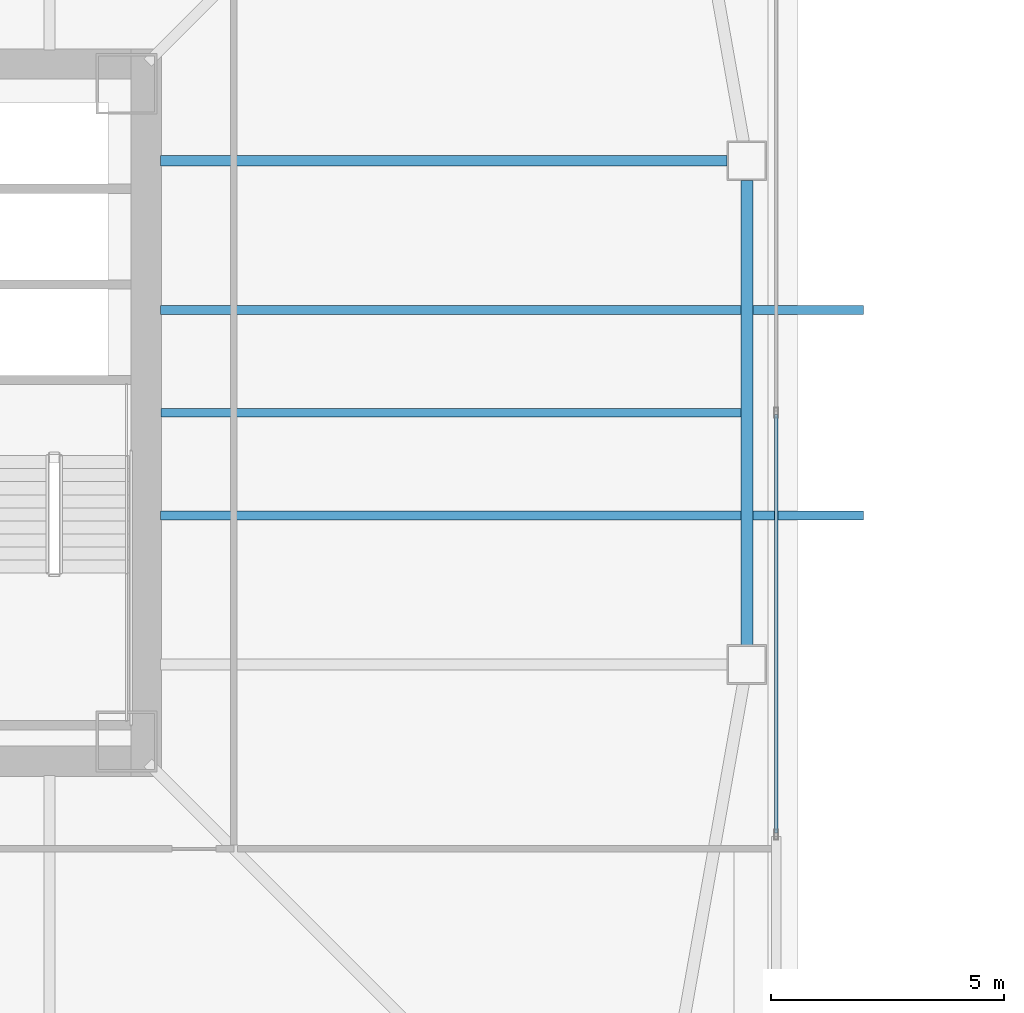
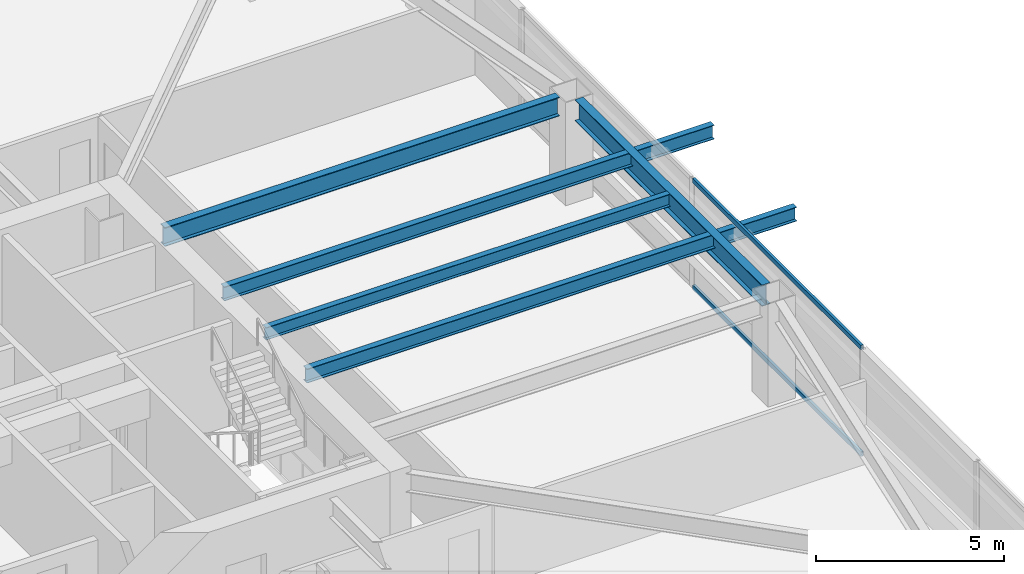
# One storey, part 10 of 47: 5 beams, 2 members, 1 element without a shape of its own.
"""IFC4 building model written with IfcOpenShell, lengths in metres."""

import ifcopenshell
import ifcopenshell.guid

model = None  # the IFC model being written
_history = None  # IfcOwnerHistory: only IFC2X3 demands one
_inside = {}  # id of a spatial element -> (the spatial element, [elements in it])
_under = {}  # id of a project, library or spatial element -> (it, [spatial elements below it])
_declared = {}  # id of a project -> (the project, [libraries it declares])
_typed = {}  # id of a type object -> (the type object, [elements of that type])
_made_of = {}  # id of a material, layer set ... -> (it, [elements and type objects made of it])


def new_model(schema):
    """Start an empty IFC model of exactly this schema.

    Asked for "IFC4X3", IfcOpenShell would pick the latest addendum, in which some entities
    have other attributes; the version numbers below select the first issue.
    IFC2X3 requires an IfcOwnerHistory on every rooted entity: one is made here for all.
    """
    global model, _history
    if schema == "IFC4X3":
        model = ifcopenshell.file(schema_version=(4, 3, 0, 0))
    else:
        model = ifcopenshell.file(schema=schema)
    _inside.clear()
    _under.clear()
    _declared.clear()
    _typed.clear()
    _made_of.clear()
    _history = None
    if model.schema == "IFC2X3":
        org = make("IfcOrganization", Name="unknown")
        user = make(
            "IfcPersonAndOrganization",
            ThePerson=make("IfcPerson", FamilyName="unknown"),
            TheOrganization=org,
        )
        app = make(
            "IfcApplication",
            ApplicationDeveloper=org,
            Version="unknown",
            ApplicationFullName="unknown",
            ApplicationIdentifier="unknown",
        )
        _history = make(
            "IfcOwnerHistory",
            OwningUser=user,
            OwningApplication=app,
            ChangeAction="ADDED",
            CreationDate=0,
        )
    return model


def make(cls, **values):
    """One entity of the class cls with the attributes given. An attribute that is None is left unset."""
    return model.create_entity(
        cls, **{name: value for name, value in values.items() if value is not None}
    )


def rooted(cls, **values):
    """An entity with a GlobalId (a new one), such as an element, a storey or a relation."""
    return make(cls, GlobalId=ifcopenshell.guid.new(), OwnerHistory=_history, **values)


def si_unit(unit_type, name, prefix=None):
    """IfcSIUnit, for example si_unit("LENGTHUNIT", "METRE", prefix="MILLI")."""
    return make("IfcSIUnit", UnitType=unit_type, Prefix=prefix, Name=name)


def assignment(units):
    """IfcUnitAssignment: the units of a project."""
    return None if units is None else make("IfcUnitAssignment", Units=units)


def point(xyz):
    """IfcCartesianPoint."""
    return None if xyz is None else make("IfcCartesianPoint", Coordinates=xyz)


def direction(xyz):
    """IfcDirection."""
    return None if xyz is None else make("IfcDirection", DirectionRatios=xyz)


def frame(location, z_axis=None, x_axis=None):
    """IfcAxis2Placement3D, a coordinate frame: its origin and axes. An axis left out is left unset."""
    return make(
        "IfcAxis2Placement3D",
        Location=point(location),
        Axis=direction(z_axis),
        RefDirection=direction(x_axis),
    )


def frame_2d(location, x_axis=None):
    """IfcAxis2Placement2D, a coordinate frame in the plane: its origin and x axis."""
    return make(
        "IfcAxis2Placement2D", Location=point(location), RefDirection=direction(x_axis)
    )


def origin():
    """The frame at (0, 0, 0) with its axes left unset."""
    return frame((0.0, 0.0, 0.0))


def origin_2d():
    """The frame at (0, 0) in the plane with its x axis left unset."""
    return frame_2d((0.0, 0.0))


def place(relative_to, where):
    """IfcLocalPlacement: puts the frame where relative to a parent placement (None: the world)."""
    return make(
        "IfcLocalPlacement", PlacementRelTo=relative_to, RelativePlacement=where
    )


def context(
    kind, dimensions, precision=None, world=None, true_north=None, identifier=None
):
    """IfcGeometricRepresentationContext, for example the 3D "Model" context."""
    return make(
        "IfcGeometricRepresentationContext",
        ContextIdentifier=identifier,
        ContextType=kind,
        CoordinateSpaceDimension=dimensions,
        Precision=precision,
        WorldCoordinateSystem=world,
        TrueNorth=true_north,
    )


def subcontext(parent, identifier, kind, view, scale=None):
    """IfcGeometricRepresentationSubContext, for example "Body" below "Model"."""
    return make(
        "IfcGeometricRepresentationSubContext",
        ContextIdentifier=identifier,
        ContextType=kind,
        ParentContext=parent,
        TargetScale=scale,
        TargetView=view,
    )


def project(units=None, contexts=None):
    """IfcProject with its units and contexts."""
    return rooted(
        "IfcProject",
        Name="project",
        RepresentationContexts=contexts,
        UnitsInContext=assignment(units),
    )


def spatial(cls, under=None, at=None, **own):
    """A site, building, storey or space (cls), placed at a placement, below another one or the project."""
    s = rooted(cls, ObjectPlacement=at, **own)
    if under is not None:
        _under.setdefault(under.id(), (under, []))[1].append(s)
    return s


def profile(cls, at=None, kind="AREA", **sizes):
    """A parametric profile (cls). Its sizes go by their IFC names, for example OverallWidth=200.0."""
    return make(cls, ProfileType=kind, Position=at, **sizes)


def hollow_rectangle(**sizes):
    """IfcRectangleHollowProfileDef."""
    return profile("IfcRectangleHollowProfileDef", **sizes)


def i_section(**sizes):
    """IfcIShapeProfileDef."""
    return profile("IfcIShapeProfileDef", **sizes)


def extrude(swept, where, along, depth):
    """IfcExtrudedAreaSolid: the profile swept, set in the frame where, extruded along a direction by depth."""
    return make(
        "IfcExtrudedAreaSolid",
        SweptArea=swept,
        Position=where,
        ExtrudedDirection=direction(along),
        Depth=depth,
    )


def shape(context_of_items, identifier, shape_type, items):
    """IfcShapeRepresentation: the items that make up one representation, for example the "Body"."""
    return make(
        "IfcShapeRepresentation",
        ContextOfItems=context_of_items,
        RepresentationIdentifier=identifier,
        RepresentationType=shape_type,
        Items=items,
    )


def material(Name=None, Category=None):
    """IfcMaterial."""
    return make("IfcMaterial", Name=Name, Category=Category)


def material_profile(
    of_material, cross_section, Name=None, Category=None, Priority=None
):
    """IfcMaterialProfile: a cross section and its material."""
    return make(
        "IfcMaterialProfile",
        Name=Name,
        Material=of_material,
        Profile=cross_section,
        Priority=Priority,
        Category=Category,
    )


def profile_set(profiles, Name=None, composite=None):
    """IfcMaterialProfileSet."""
    return make(
        "IfcMaterialProfileSet",
        Name=Name,
        MaterialProfiles=profiles,
        CompositeProfile=composite,
    )


def made_of(thing, what):
    """Note that an element or type object is made of a material, layer set ...; save() writes the relation."""
    if what is not None:
        _made_of.setdefault(what.id(), (what, []))[1].append(thing)
    return thing


def type_object(cls, material=None, **own):
    """A type object (cls), such as IfcWallType, which elements share."""
    return made_of(rooted(cls, **own), material)


def element(
    cls,
    number,
    at=None,
    inside=None,
    cuts=None,
    type_object=None,
    material=None,
    context=None,
    identifier="Body",
    shape_type=None,
    held_by="IfcProductDefinitionShape",
    body=None,
    shapes=None,
    **own,
):
    """One element of the class cls, such as IfcWall. Its Tag is "e" and its number.

    at: its placement. inside: the storey or other place that contains it. cuts: it is an
    opening in that element (IfcRelVoidsElement). A single representation is given by context,
    identifier, shape_type and body (its items); several are given by shapes. held_by: the class
    of the entity that holds the representations. save() writes the other relations.
    """
    e = rooted(cls, Tag="e%d" % number, ObjectPlacement=at, **own)
    if body is not None:
        shapes = [shape(context, identifier, shape_type, body)]
    if shapes is not None:
        e.Representation = make(held_by, Representations=shapes)
    if inside is not None:
        _inside.setdefault(inside.id(), (inside, []))[1].append(e)
    if cuts is not None:
        rooted(
            "IfcRelVoidsElement", RelatingBuildingElement=cuts, RelatedOpeningElement=e
        )
    if type_object is not None:
        _typed.setdefault(type_object.id(), (type_object, []))[1].append(e)
    return made_of(e, material)


def aggregate(whole, parts):
    """IfcRelAggregates: a whole, such as a stair, and the parts it consists of."""
    return rooted("IfcRelAggregates", RelatingObject=whole, RelatedObjects=parts)


def save(model, path):
    """Write the relations noted so far, then the file.

    IfcRelAggregates (storeys below a building ...), IfcRelContainedInSpatialStructure (elements
    in a storey), IfcRelDefinesByType, IfcRelAssociatesMaterial and IfcRelDeclares: one each for
    every whole, place, type object, material and project.
    """
    for whole, parts in _under.values():
        aggregate(whole, parts)
    for where, things in _inside.values():
        rooted(
            "IfcRelContainedInSpatialStructure",
            RelatedElements=things,
            RelatingStructure=where,
        )
    for kind, things in _typed.values():
        rooted("IfcRelDefinesByType", RelatedObjects=things, RelatingType=kind)
    for what, things in _made_of.values():
        rooted("IfcRelAssociatesMaterial", RelatedObjects=things, RelatingMaterial=what)
    for by, libraries in _declared.values():
        rooted("IfcRelDeclares", RelatingContext=by, RelatedDefinitions=libraries)
    model.write(path)


model = new_model("IFC4")

# Units and contexts
model_context = context("Model", 3, precision=1e-05, world=origin(), true_north=direction((0.0, 1.0)))
body_context = subcontext(model_context, "Body", "Model", "MODEL_VIEW")
ifc_project = project(units=[si_unit("LENGTHUNIT", "METRE"), si_unit("AREAUNIT", "SQUARE_METRE"), si_unit("VOLUMEUNIT", "CUBIC_METRE"), si_unit("PLANEANGLEUNIT", "RADIAN"), si_unit("MASSUNIT", "GRAM", prefix="KILO")], contexts=[model_context])

# Site, building, storey
site_placement = place(None, origin())
site = spatial("IfcSite", under=ifc_project, at=site_placement, CompositionType="ELEMENT")
building_placement = place(site_placement, origin())
building = spatial("IfcBuilding", under=site, at=building_placement, Name="Tashvorn Skyway Center", CompositionType="ELEMENT")
storey_placement = place(building_placement, frame((0.0, 0.0, 81.39990234375)))
storey = spatial("IfcBuildingStorey", under=building, at=storey_placement, Name="L21", CompositionType="ELEMENT", Elevation=81.39990234375)

# Beams
ifc_material_1 = material(Name="Steel ASTM A992 Grade 50", Category="steel")
ifc_material_profile_1 = material_profile(ifc_material_1, i_section(OverallWidth=0.22998046875, OverallDepth=0.616943359375, WebThickness=0.01318359375, FlangeThickness=0.022216796875, at=origin_2d()), Name="W24X94")
ifc_profile_set_1 = profile_set([ifc_material_profile_1], Name="Steel ASTM A992 Grade 50")
beam_type_1 = type_object("IfcBeamType", Name="BM-BEAM-W24X94", PredefinedType="BEAM", material=ifc_profile_set_1)
beam_1_placement = place(storey_placement, frame((61.929931640625, 37.39990234375, 3.04150390625), z_axis=(-1.0, 0.0, 0.0), x_axis=(0.0, -1.0, 0.0)))
element("IfcBeam", 1, at=beam_1_placement, inside=storey, type_object=beam_type_1, Name="Tower 1 L21 Primary Floor Girder FC-E2", PredefinedType="BEAM", context=body_context, shape_type="SweptSolid", body=[
    extrude(i_section(OverallWidth=0.22998046875, OverallDepth=0.616943359375, WebThickness=0.01318359375, FlangeThickness=0.022216796875, at=origin_2d()), origin(), (0.0, 0.0, 1.0), 12.14990234375),
])
ifc_material_profile_2 = material_profile(ifc_material_1, i_section(OverallWidth=0.177978515625, OverallDepth=0.406005859375, WebThickness=0.0078125, FlangeThickness=0.0126953125, at=origin_2d()), Name="W16X40")
ifc_profile_set_2 = profile_set([ifc_material_profile_2], Name="Steel ASTM A992 Grade 50")
beam_type_2 = type_object("IfcBeamType", Name="BM-JOIST-W16X40", PredefinedType="JOIST", material=ifc_profile_set_2)
beam_2_placement = place(storey_placement, frame((49.7900390625, 32.0, 3.147216796875), z_axis=(1.0, 0.0, 0.0), x_axis=(0.0, 1.0, 0.0)))
element("IfcBeam", 2, at=beam_2_placement, inside=storey, type_object=beam_type_2, Name="Tower 1 L21 Secondary Composite Joist JE", PredefinedType="JOIST", context=body_context, shape_type="SweptSolid", body=[
    extrude(i_section(OverallWidth=0.177978515625, OverallDepth=0.406005859375, WebThickness=0.0078125, FlangeThickness=0.0126953125, at=origin_2d()), origin(), (0.0, 0.0, 1.0), 12.43994140625),
])
ifc_material_profile_3 = material_profile(ifc_material_1, i_section(OverallWidth=0.19091796875, OverallDepth=0.4599609375, WebThickness=0.010009765625, FlangeThickness=0.01611328125, at=origin_2d()), Name="W18X55")
ifc_profile_set_3 = profile_set([ifc_material_profile_3], Name="Steel ASTM A992 Grade 50")
beam_type_3 = type_object("IfcBeamType", Name="BM-JOIST-W18X55", PredefinedType="JOIST", material=ifc_profile_set_3)
for number, where, z_axis, x_axis, name in (
    (3, (49.780029296875, 29.800048828125, 3.1201171875), (1.0, 0.0, 0.0), (0.0, 1.0, 0.0), "Tower 1 L22 Terrace Cantilever Outlooker 1"),
    (4, (49.780029296875, 34.199951171875, 3.1201171875), (1.0, 0.0, 0.0), (0.0, 1.0, 0.0), "Tower 1 L22 Terrace Cantilever Outlooker 2"),
):
    element("IfcBeam", number, at=place(storey_placement, frame(where, z_axis=z_axis, x_axis=x_axis)), inside=storey, type_object=beam_type_3, Name=name, PredefinedType="JOIST", context=body_context, shape_type="SweptSolid", body=[
        extrude(i_section(OverallWidth=0.19091796875, OverallDepth=0.4599609375, WebThickness=0.010009765625, FlangeThickness=0.01611328125, at=origin_2d()), origin(), (0.0, 0.0, 1.0), 15.070068359375),
    ])
ifc_material_profile_4 = material_profile(ifc_material_1, i_section(OverallWidth=0.256103515625, OverallDepth=0.693115234375, WebThickness=0.014404296875, FlangeThickness=0.023681640625, at=origin_2d()), Name="W27X114")
ifc_profile_set_4 = profile_set([ifc_material_profile_4], Name="Steel ASTM A992 Grade 50")
beam_type_4 = type_object("IfcBeamType", Name="BM-SPANDREL-W27X114", PredefinedType="SPANDREL", material=ifc_profile_set_4)
beam_3_placement = place(storey_placement, frame((62.35009765625, 27.02001953125, 3.003662109375), z_axis=(0.0, 1.0, 0.0), x_axis=(-1.0, 0.0, 0.0)))
element("IfcBeam", 5, at=beam_3_placement, inside=storey, type_object=beam_type_4, Name="Tower 1 L21 Spandrel Beam 05", PredefinedType="SPANDREL", context=body_context, shape_type="SweptSolid", body=[
    extrude(i_section(OverallWidth=0.256103515625, OverallDepth=0.693115234375, WebThickness=0.014404296875, FlangeThickness=0.023681640625, at=origin_2d()), origin(), (0.0, 0.0, 1.0), 9.9599609375),
])

# Curtain wall, members
ifc_material_2 = material(Name="Thermally broken bronze-anodized aluminium 6063-T6", Category="aluminium")
curtain_wall_type = type_object("IfcCurtainWallType", Name="CW-CW-Z2", PredefinedType="NOTDEFINED", material=ifc_material_2)
curtain_wall_placement = place(storey_placement, origin())
curtain_wall = element("IfcCurtainWall", 6, at=curtain_wall_placement, inside=storey, type_object=curtain_wall_type, Name="Tower 1 L21 East Unitised Curtain Wall Glazing Group 2", PredefinedType="NOTDEFINED")
ifc_material_profile_5 = material_profile(ifc_material_2, hollow_rectangle(XDim=0.080078125, YDim=0.14990234375, WallThickness=0.00439453125, at=origin_2d()), Name="ALU-TRAN-80x150")
ifc_profile_set_5 = profile_set([ifc_material_profile_5], Name="Thermally broken bronze-anodized aluminium 6063-T6")
member_type = type_object("IfcMemberType", Name="CWT-CW-Z2", PredefinedType="USERDEFINED", material=ifc_profile_set_5)
member_1_placement = place(storey_placement, frame((62.97998046875, 31.9599609375, 0.0400390625), z_axis=(0.0, -1.0, 0.0), x_axis=(1.0, 0.0, 0.0)))
member_1 = element("IfcMember", 7, at=member_1_placement, type_object=member_type, Name="CW-Z2 transom 2.1", ObjectType="TRANSOM", PredefinedType="USERDEFINED", context=body_context, shape_type="SweptSolid", body=[
    extrude(hollow_rectangle(XDim=0.080078125, YDim=0.14990234375, WallThickness=0.00439453125, at=origin_2d()), origin(), (0.0, 0.0, 1.0), 8.969970703125),
])
member_2_placement = place(storey_placement, frame((62.97998046875, 31.9599609375, 3.510009765625), z_axis=(0.0, -1.0, 0.0), x_axis=(1.0, 0.0, 0.0)))
member_2 = element("IfcMember", 8, at=member_2_placement, type_object=member_type, Name="CW-Z2 transom 2.2", ObjectType="TRANSOM", PredefinedType="USERDEFINED", context=body_context, shape_type="SweptSolid", body=[
    extrude(hollow_rectangle(XDim=0.080078125, YDim=0.14990234375, WallThickness=0.00439453125, at=origin_2d()), origin(), (0.0, 0.0, 1.0), 8.969970703125),
])
aggregate(curtain_wall, [member_1, member_2])

save(model, "model.ifc")
